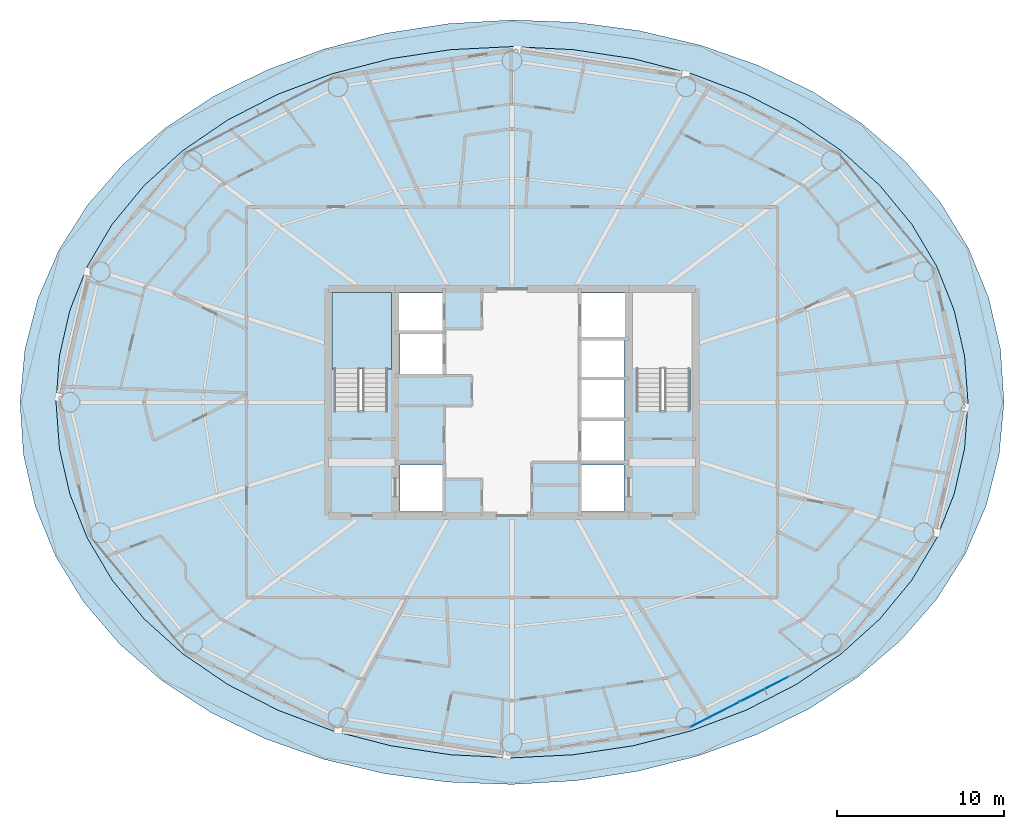
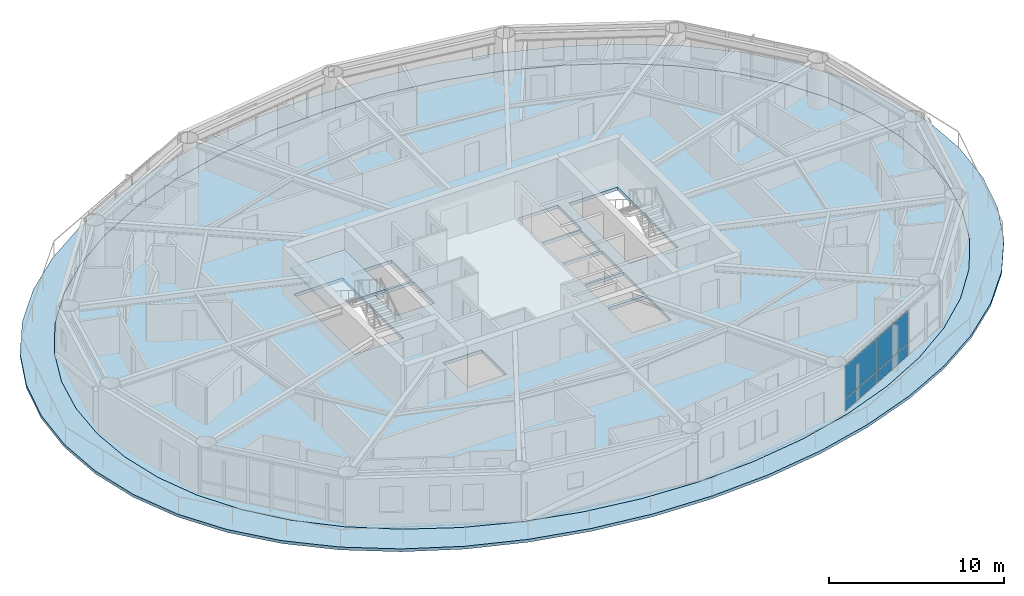
# One storey, part 18 of 28: 4 plates, 3 slabs, 2 elements without a shape of their own.
"""IFC4 building model written with IfcOpenShell, lengths in metres."""

from ifc_helpers import new_model, si_unit, direction, frame, origin, origin_2d, place, context, subcontext, project, spatial, polyline, rectangle, outline, extrude, material, layer, layer_set, type_object, element, aggregate, save


model = new_model("IFC4")

# Units and contexts
model_context = context("Model", 3, precision=1e-05, world=origin(), true_north=direction((0.0, 1.0)))
body_context = subcontext(model_context, "Body", "Model", "MODEL_VIEW")
ifc_project = project(units=[si_unit("LENGTHUNIT", "METRE"), si_unit("AREAUNIT", "SQUARE_METRE"), si_unit("VOLUMEUNIT", "CUBIC_METRE"), si_unit("PLANEANGLEUNIT", "RADIAN"), si_unit("MASSUNIT", "GRAM", prefix="KILO")], contexts=[model_context])

# Site, building, storey
site_placement = place(None, origin())
site = spatial("IfcSite", under=ifc_project, at=site_placement, CompositionType="ELEMENT")
building_placement = place(site_placement, origin())
building = spatial("IfcBuilding", under=site, at=building_placement, Name="Sarneth Arch Tower", CompositionType="ELEMENT")
storey_placement = place(building_placement, frame((0.0, 0.0, 197.39990234375)))
storey = spatial("IfcBuildingStorey", under=building, at=storey_placement, Name="L50", CompositionType="ELEMENT", Elevation=197.39990234375)

# Curtain wall, plates
ifc_material_1 = material(Name="Anodised aluminium Type AA25 and solar-control low-e laminated IGU", Category="aluminium")
ifc_layer_1 = layer(ifc_material_1, 0.169921875)
ifc_layer_set_1 = layer_set([ifc_layer_1], Name="Anodised aluminium Type AA25 and solar-control low-e laminated IGU")
curtain_wall_type = type_object("IfcCurtainWallType", Name="CW-RES-MID", PredefinedType="NOTDEFINED", material=ifc_layer_set_1)
curtain_wall_placement = place(storey_placement, origin())
curtain_wall = element("IfcCurtainWall", 1, at=curtain_wall_placement, inside=storey, type_object=curtain_wall_type, Name="L50 Unitised curtain wall facet 14", PredefinedType="NOTDEFINED")
ifc_material_2 = material(Name="Solar-control low-e laminated IGU", Category="glass")
ifc_layer_2 = layer(ifc_material_2, 0.028076171875)
ifc_layer_set_2 = layer_set([ifc_layer_2], Name="Solar-control low-e laminated IGU")
plate_type = type_object("IfcPlateType", Name="CW-PANEL", PredefinedType="CURTAIN_PANEL", material=ifc_layer_set_2)
plate_1_placement = place(storey_placement, frame((60.16162109375, 23.29296875, 0.06005859375), z_axis=(0.0, 0.0, 1.0), x_axis=(0.88987293003, 0.456208470329, 0.0)))
plate_1 = element("IfcPlate", 2, at=plate_1_placement, type_object=plate_type, Name="Curtain wall glazed vision pane CW-L50-F14/P00-00", PredefinedType="CURTAIN_PANEL", context=body_context, shape_type="SweptSolid", body=[
    extrude(rectangle(XDim=3.248779296875, YDim=0.028076171875, at=origin_2d()), origin(), (0.0, 0.0, 1.0), 0.81005859375),
])
plate_2_placement = place(storey_placement, frame((60.16162109375, 23.29296875, 0.93017578125), z_axis=(0.0, 0.0, 1.0), x_axis=(0.88987293003, 0.456208470329, 0.0)))
plate_2 = element("IfcPlate", 3, at=plate_2_placement, type_object=plate_type, Name="Curtain wall glazed vision pane CW-L50-F14/P00-01", PredefinedType="CURTAIN_PANEL", context=body_context, shape_type="SweptSolid", body=[
    extrude(rectangle(XDim=3.248779296875, YDim=0.028076171875, at=origin_2d()), origin(), (0.0, 0.0, 1.0), 2.260009765625),
])
plate_3_placement = place(storey_placement, frame((63.119384765625, 24.809326171875, 0.06005859375), z_axis=(0.0, 0.0, 1.0), x_axis=(0.88987293003, 0.456208470329, 0.0)))
plate_3 = element("IfcPlate", 4, at=plate_3_placement, type_object=plate_type, Name="Curtain wall glazed vision pane CW-L50-F14/P01-00", PredefinedType="CURTAIN_PANEL", context=body_context, shape_type="SweptSolid", body=[
    extrude(rectangle(XDim=3.27880859375, YDim=0.028076171875, at=origin_2d()), origin(), (0.0, 0.0, 1.0), 0.81005859375),
])
plate_4_placement = place(storey_placement, frame((63.119384765625, 24.809326171875, 0.93017578125), z_axis=(0.0, 0.0, 1.0), x_axis=(0.88987293003, 0.456208470329, 0.0)))
plate_4 = element("IfcPlate", 5, at=plate_4_placement, type_object=plate_type, Name="Curtain wall glazed vision pane CW-L50-F14/P01-01", PredefinedType="CURTAIN_PANEL", context=body_context, shape_type="SweptSolid", body=[
    extrude(rectangle(XDim=3.27880859375, YDim=0.028076171875, at=origin_2d()), origin(), (0.0, 0.0, 1.0), 2.260009765625),
])
aggregate(curtain_wall, [plate_1, plate_2, plate_3, plate_4])

# Slab
ifc_material_3 = material(Name="Concrete C50/60", Category="concrete")
ifc_layer_3 = layer(ifc_material_3, 0.199951171875)
ifc_layer_set_3 = layer_set([ifc_layer_3], Name="Concrete C50/60")
slab_type_1 = type_object("IfcSlabType", Name="SLAB-BALC-200", PredefinedType="FLOOR", material=ifc_layer_set_3)
slab_1_placement = place(storey_placement, frame((0.0, 0.0, -0.199951171875)))
element("IfcSlab", 6, at=slab_1_placement, inside=storey, type_object=slab_type_1, Name="L50 Helical balcony band slab", PredefinedType="FLOOR", context=body_context, shape_type="SweptSolid", body=[
    extrude(outline(polyline([(77.4697265625, 42.0), (77.2607421875, 45.164794921875), (76.54931640625, 48.26220703125), (75.343017578125, 51.217529296875), (73.657470703125, 53.9697265625), (71.516845703125, 56.47216796875), (68.955810546875, 58.689208984375), (66.022705078125, 60.593505859375), (62.776123046875, 62.16455078125), (59.283203125, 63.387451171875), (55.61279296875, 64.25244140625), (51.8310546875, 64.7548828125), (48.0, 64.8935546875), (44.17724609375, 64.671142578125), (40.419677734375, 64.09326171875), (36.78564453125, 63.168212890625), (33.336669921875, 61.906494140625), (30.134765625, 60.322021484375), (27.239501953125, 58.4296875), (24.70263671875, 56.24755859375), (22.565185546875, 53.797607421875), (20.857666015625, 51.10546875), (19.603515625, 48.20703125), (18.822021484375, 45.150146484375), (18.5302734375, 42.0), (18.7392578125, 38.835205078125), (19.45068359375, 35.73779296875), (20.656982421875, 32.782470703125), (22.342529296875, 30.0302734375), (24.483154296875, 27.52783203125), (27.044189453125, 25.310791015625), (29.977294921875, 23.406494140625), (33.223876953125, 21.83544921875), (36.716796875, 20.612548828125), (40.38720703125, 19.74755859375), (44.1689453125, 19.2451171875), (48.0, 19.1064453125), (51.82275390625, 19.328857421875), (55.580322265625, 19.90673828125), (59.21435546875, 20.831787109375), (62.663330078125, 22.093505859375), (65.865234375, 23.677978515625), (68.760498046875, 25.5703125), (71.29736328125, 27.75244140625), (73.434814453125, 30.202392578125), (75.142333984375, 32.89453125), (76.396484375, 35.79296875), (77.177978515625, 38.849853515625), (77.4697265625, 42.0)]), holes=[polyline([(75.313232421875, 42.0), (75.10595703125, 44.7802734375), (74.48095703125, 47.512939453125), (73.431396484375, 50.151123046875), (71.9521484375, 52.64990234375), (70.0458984375, 54.966552734375), (67.730712890625, 57.061279296875), (65.04052734375, 58.8984375), (62.025390625, 60.4462890625), (58.7470703125, 61.6787109375), (55.27197265625, 62.57421875), (51.667724609375, 63.11767578125), (48.0, 63.300048828125), (44.332275390625, 63.11767578125), (40.72802734375, 62.57421875), (37.2529296875, 61.6787109375), (33.974609375, 60.4462890625), (30.95947265625, 58.8984375), (28.269287109375, 57.061279296875), (25.9541015625, 54.966552734375), (24.0478515625, 52.64990234375), (22.568603515625, 50.151123046875), (21.51904296875, 47.512939453125), (20.89404296875, 44.7802734375), (20.686767578125, 42.0), (20.89404296875, 39.2197265625), (21.51904296875, 36.487060546875), (22.568603515625, 33.848876953125), (24.0478515625, 31.35009765625), (25.9541015625, 29.033447265625), (28.269287109375, 26.938720703125), (30.95947265625, 25.1015625), (33.974609375, 23.5537109375), (37.2529296875, 22.3212890625), (40.72802734375, 21.42578125), (44.332275390625, 20.88232421875), (48.0, 20.699951171875), (51.667724609375, 20.88232421875), (55.27197265625, 21.42578125), (58.7470703125, 22.3212890625), (62.025390625, 23.5537109375), (65.04052734375, 25.1015625), (67.730712890625, 26.938720703125), (70.0458984375, 29.033447265625), (71.9521484375, 31.35009765625), (73.431396484375, 33.848876953125), (74.48095703125, 36.487060546875), (75.10595703125, 39.2197265625), (75.313232421875, 42.0)])]), origin(), (0.0, 0.0, 1.0), 0.199951171875),
])

# Stair, slab
ifc_material_4 = material(Name="Concrete C50/60", Category="concrete")
stair_type = type_object("IfcStairType", Name="STAIR-CORE-RC", PredefinedType="HALF_TURN_STAIR", material=ifc_material_4)
stair_placement = place(storey_placement, origin())
stair = element("IfcStair", 7, at=stair_placement, inside=storey, type_object=stair_type, Name="L50 Core Exit Stair 1", PredefinedType="HALF_TURN_STAIR")
ifc_material_5 = material(Name="Concrete C50/60", Category="concrete")
ifc_layer_4 = layer(ifc_material_5, 0.199951171875)
ifc_layer_set_4 = layer_set([ifc_layer_4], Name="Concrete C50/60")
slab_type_2 = type_object("IfcSlabType", Name="SLAB-LANDING-200", PredefinedType="LANDING", material=ifc_layer_set_4)
slab_2_placement = place(storey_placement, frame((0.0, 0.0, 1.60009765625)))
slab_2 = element("IfcSlab", 8, at=slab_2_placement, type_object=slab_type_2, Name="ST-1 landing 1", PredefinedType="LANDING", context=body_context, shape_type="SweptSolid", body=[
    extrude(outline(polyline([(37.22509765625, 43.985107421875), (40.77490234375, 43.985107421875), (40.77490234375, 48.574951171875), (37.22509765625, 48.574951171875), (37.22509765625, 43.985107421875)])), origin(), (0.0, 0.0, 1.0), 0.199951171875),
])
aggregate(stair, [slab_2])

# Slab
ifc_material_6 = material(Name="Concrete C50/60", Category="concrete")
ifc_layer_5 = layer(ifc_material_6, 0.219970703125)
ifc_layer_set_5 = layer_set([ifc_layer_5], Name="Concrete C50/60")
slab_type_3 = type_object("IfcSlabType", Name="SLAB-TOWER-220", PredefinedType="FLOOR", material=ifc_layer_set_5)
slab_3_placement = place(storey_placement, frame((0.0, 0.0, -0.219970703125)))
element("IfcSlab", 9, at=slab_3_placement, inside=storey, type_object=slab_type_3, Name="L50 Elliptical floor slab", PredefinedType="FLOOR", context=body_context, shape_type="SweptSolid", body=[
    extrude(outline(polyline([(75.313232421875, 42.0), (75.10595703125, 44.7802734375), (74.48095703125, 47.512939453125), (73.431396484375, 50.151123046875), (71.9521484375, 52.64990234375), (70.0458984375, 54.966552734375), (67.730712890625, 57.061279296875), (65.04052734375, 58.8984375), (62.025390625, 60.4462890625), (58.7470703125, 61.6787109375), (55.27197265625, 62.57421875), (51.667724609375, 63.11767578125), (48.0, 63.300048828125), (44.332275390625, 63.11767578125), (40.72802734375, 62.57421875), (37.2529296875, 61.6787109375), (33.974609375, 60.4462890625), (30.95947265625, 58.8984375), (28.269287109375, 57.061279296875), (25.9541015625, 54.966552734375), (24.0478515625, 52.64990234375), (22.568603515625, 50.151123046875), (21.51904296875, 47.512939453125), (20.89404296875, 44.7802734375), (20.686767578125, 42.0), (20.89404296875, 39.2197265625), (21.51904296875, 36.487060546875), (22.568603515625, 33.848876953125), (24.0478515625, 31.35009765625), (25.9541015625, 29.033447265625), (28.269287109375, 26.938720703125), (30.95947265625, 25.1015625), (33.974609375, 23.5537109375), (37.2529296875, 22.3212890625), (40.72802734375, 21.42578125), (44.332275390625, 20.88232421875), (48.0, 20.699951171875), (51.667724609375, 20.88232421875), (55.27197265625, 21.42578125), (58.7470703125, 22.3212890625), (62.025390625, 23.5537109375), (65.04052734375, 25.1015625), (67.730712890625, 26.938720703125), (70.0458984375, 29.033447265625), (71.9521484375, 31.35009765625), (73.431396484375, 33.848876953125), (74.48095703125, 36.487060546875), (75.10595703125, 39.2197265625), (75.313232421875, 42.0)]), holes=[polyline([(37.35009765625, 41.489990234375), (40.550048828125, 41.489990234375), (40.550048828125, 48.39990234375), (37.35009765625, 48.39990234375), (37.35009765625, 41.489990234375)]), polyline([(55.449951171875, 41.489990234375), (58.64990234375, 41.489990234375), (58.64990234375, 48.39990234375), (55.449951171875, 48.39990234375), (55.449951171875, 41.489990234375)]), polyline([(41.199951171875, 46.25), (43.85009765625, 46.25), (43.85009765625, 48.550048828125), (41.199951171875, 48.550048828125), (41.199951171875, 46.25)]), polyline([(41.300048828125, 35.449951171875), (43.85009765625, 35.449951171875), (43.85009765625, 38.25), (41.300048828125, 38.25), (41.300048828125, 35.449951171875)]), polyline([(52.14990234375, 35.449951171875), (54.699951171875, 35.449951171875), (54.699951171875, 38.25), (52.14990234375, 38.25), (52.14990234375, 35.449951171875)]), polyline([(52.14990234375, 45.85009765625), (54.800048828125, 45.85009765625), (54.800048828125, 48.550048828125), (52.14990234375, 48.550048828125), (52.14990234375, 45.85009765625)]), polyline([(41.300048828125, 43.64990234375), (43.85009765625, 43.64990234375), (43.85009765625, 46.10009765625), (41.300048828125, 46.10009765625), (41.300048828125, 43.64990234375)]), polyline([(52.14990234375, 38.449951171875), (54.699951171875, 38.449951171875), (54.699951171875, 40.89990234375), (52.14990234375, 40.89990234375), (52.14990234375, 38.449951171875)]), polyline([(52.14990234375, 41.050048828125), (54.699951171875, 41.050048828125), (54.699951171875, 43.35009765625), (52.14990234375, 43.35009765625), (52.14990234375, 41.050048828125)]), polyline([(52.14990234375, 43.5), (54.699951171875, 43.5), (54.699951171875, 45.75), (52.14990234375, 45.75), (52.14990234375, 43.5)])]), origin(), (0.0, 0.0, 1.0), 0.219970703125),
])

save(model, "model.ifc")
